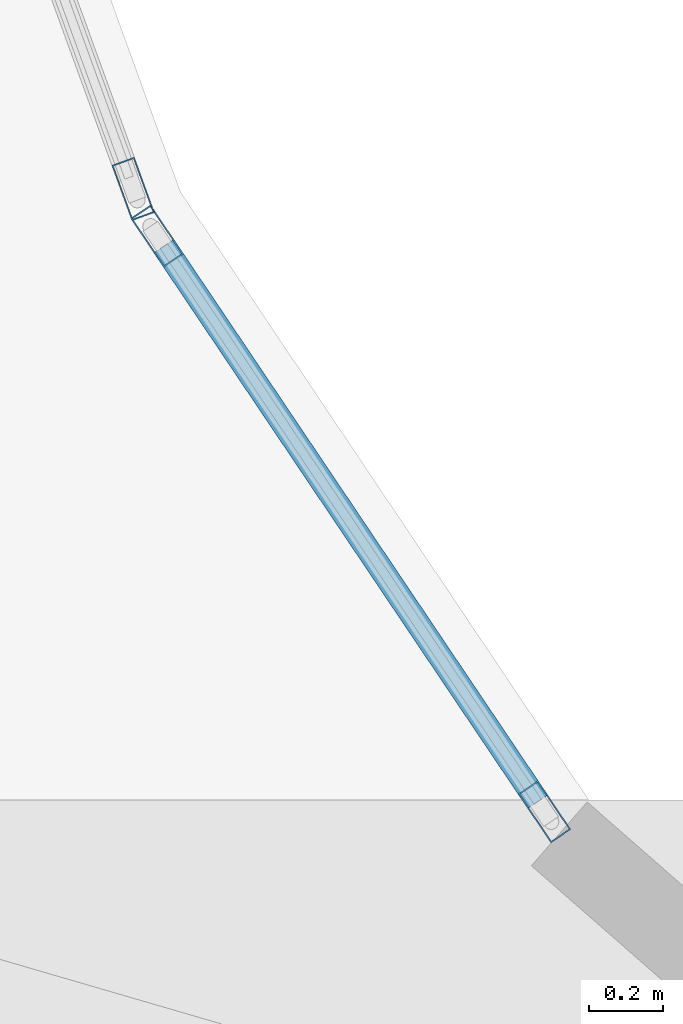
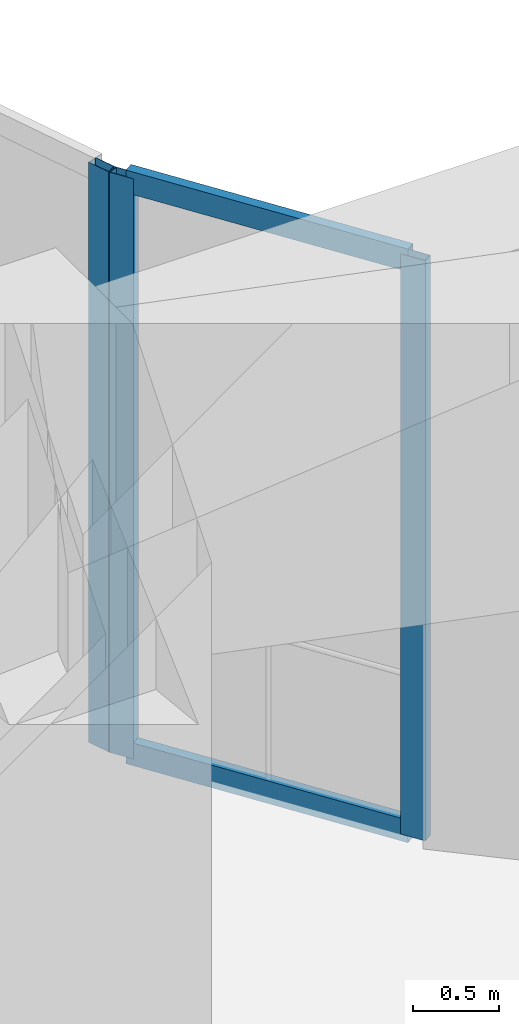
# One storey, part 4 of 27: 5 members, 2 elements without a shape of their own.
"""IFC4 building model written with IfcOpenShell, lengths in metres."""

from ifc_helpers import new_model, si_unit, direction, frame, origin, origin_2d, place, context, subcontext, project, spatial, hollow_rectangle, extrude, material, layer, layer_set, material_profile, profile_set, type_object, element, aggregate, save


model = new_model("IFC4")

# Units and contexts
model_context = context("Model", 3, precision=1e-05, world=origin(), true_north=direction((0.0, 1.0)))
body_context = subcontext(model_context, "Body", "Model", "MODEL_VIEW")
ifc_project = project(units=[si_unit("LENGTHUNIT", "METRE"), si_unit("AREAUNIT", "SQUARE_METRE"), si_unit("VOLUMEUNIT", "CUBIC_METRE"), si_unit("PLANEANGLEUNIT", "RADIAN"), si_unit("MASSUNIT", "GRAM", prefix="KILO")], contexts=[model_context])

# Site, building, storey
site_placement = place(None, origin())
site = spatial("IfcSite", under=ifc_project, at=site_placement, CompositionType="ELEMENT")
building_placement = place(site_placement, origin())
building = spatial("IfcBuilding", under=site, at=building_placement, Name="Solvane Sanctuary Tower", CompositionType="ELEMENT")
storey_placement = place(building_placement, frame((0.0, 0.0, 23.0)))
storey = spatial("IfcBuildingStorey", under=building, at=storey_placement, Name="L06", CompositionType="ELEMENT", Elevation=23.0)

# Curtain wall, member
ifc_material = material(Name="Anodised Aluminium 6063-T6", Category="aluminium")
ifc_layer = layer(ifc_material, 0.199951171875, Name="Anodised Aluminium 6063-T6")
ifc_layer_set = layer_set([ifc_layer], Name="Anodised Aluminium 6063-T6")
curtain_wall_type = type_object("IfcCurtainWallType", Name="Curtain Wall CW-WELL", PredefinedType="NOTDEFINED", material=ifc_layer_set)
curtain_wall_1_placement = place(storey_placement, origin())
curtain_wall_1 = element("IfcCurtainWall", 1, at=curtain_wall_1_placement, inside=storey, type_object=curtain_wall_type, Name="L06 Light-Well Curtain Wall 13", PredefinedType="NOTDEFINED")
ifc_material_profile_1 = material_profile(ifc_material, hollow_rectangle(XDim=0.06494140625, YDim=0.159912109375, WallThickness=0.00341796875, at=origin_2d()), Name="ALU160X65X3.5")
ifc_profile_set_1 = profile_set([ifc_material_profile_1], Name="Anodised Aluminium 6063-T6")
member_type_1 = type_object("IfcMemberType", Name="Member M-CW-MUL-2 ALU160X65X3.5", PredefinedType="MULLION", material=ifc_profile_set_1)
member_1_placement = place(storey_placement, frame((25.80908203125, 19.008056640625, 0.0), z_axis=(0.0, 0.0, 1.0), x_axis=(0.939937610132, 0.341346289067, 0.0)))
member_1 = element("IfcMember", 2, at=member_1_placement, type_object=member_type_1, Name="CW-WELL mullion 2", PredefinedType="MULLION", context=body_context, shape_type="SweptSolid", body=[
    extrude(hollow_rectangle(XDim=0.06494140625, YDim=0.159912109375, WallThickness=0.00341796875, at=origin_2d()), origin(), (0.0, 0.0, 1.0), 4.10009765625),
])
aggregate(curtain_wall_1, [member_1])

# Curtain wall, members
curtain_wall_2_placement = place(storey_placement, origin())
curtain_wall_2 = element("IfcCurtainWall", 3, at=curtain_wall_2_placement, inside=storey, type_object=curtain_wall_type, Name="L06 Light-Well Curtain Wall 14", PredefinedType="NOTDEFINED")
member_2_placement = place(storey_placement, frame((25.874267578125, 18.8798828125, 0.0), z_axis=(0.0, 0.0, 1.0), x_axis=(0.829664150104, 0.558262839559, 0.0)))
member_2 = element("IfcMember", 4, at=member_2_placement, type_object=member_type_1, Name="CW-WELL mullion 1", PredefinedType="MULLION", context=body_context, shape_type="SweptSolid", body=[
    extrude(hollow_rectangle(XDim=0.06494140625, YDim=0.159912109375, WallThickness=0.00341796875, at=origin_2d()), origin(), (0.0, 0.0, 1.0), 4.10009765625),
])
member_3_placement = place(storey_placement, frame((26.925048828125, 17.318359375, 0.0), z_axis=(0.0, 0.0, 1.0), x_axis=(0.829664150104, 0.558262839559, 0.0)))
member_3 = element("IfcMember", 5, at=member_3_placement, type_object=member_type_1, Name="CW-WELL mullion 2", PredefinedType="MULLION", context=body_context, shape_type="SweptSolid", body=[
    extrude(hollow_rectangle(XDim=0.06494140625, YDim=0.159912109375, WallThickness=0.00341796875, at=origin_2d()), origin(), (0.0, 0.0, 1.0), 4.10009765625),
])
ifc_material_profile_2 = material_profile(ifc_material, hollow_rectangle(XDim=0.06494140625, YDim=0.159912109375, WallThickness=0.00341796875, at=origin_2d()), Name="ALU160X65X3.5")
ifc_profile_set_2 = profile_set([ifc_material_profile_2], Name="Anodised Aluminium 6063-T6")
member_type_2 = type_object("IfcMemberType", Name="Member M-CW-TRN-1 ALU160X65X3.5", PredefinedType="USERDEFINED", material=ifc_profile_set_2)
member_4_placement = place(storey_placement, frame((25.892578125, 18.852783203125, 0.032470703125), z_axis=(0.558230518083, -0.829685897603, 0.0), x_axis=(0.829685897603, 0.558230518083, 0.0)))
member_4 = element("IfcMember", 6, at=member_4_placement, type_object=member_type_2, Name="CW-WELL transom 1.1", ObjectType="TRANSOM", PredefinedType="USERDEFINED", context=body_context, shape_type="SweptSolid", body=[
    extrude(hollow_rectangle(XDim=0.06494140625, YDim=0.159912109375, WallThickness=0.00341796875, at=origin_2d()), origin(), (0.0, 0.0, 1.0), 1.816650390625),
])
member_5_placement = place(storey_placement, frame((25.892578125, 18.852783203125, 4.0673828125), z_axis=(0.558230518083, -0.829685897603, 0.0), x_axis=(0.829685897603, 0.558230518083, 0.0)))
member_5 = element("IfcMember", 7, at=member_5_placement, type_object=member_type_2, Name="CW-WELL transom 1.2", ObjectType="TRANSOM", PredefinedType="USERDEFINED", context=body_context, shape_type="SweptSolid", body=[
    extrude(hollow_rectangle(XDim=0.06494140625, YDim=0.159912109375, WallThickness=0.00341796875, at=origin_2d()), origin(), (0.0, 0.0, 1.0), 1.816650390625),
])
aggregate(curtain_wall_2, [member_2, member_3, member_4, member_5])

save(model, "model.ifc")
